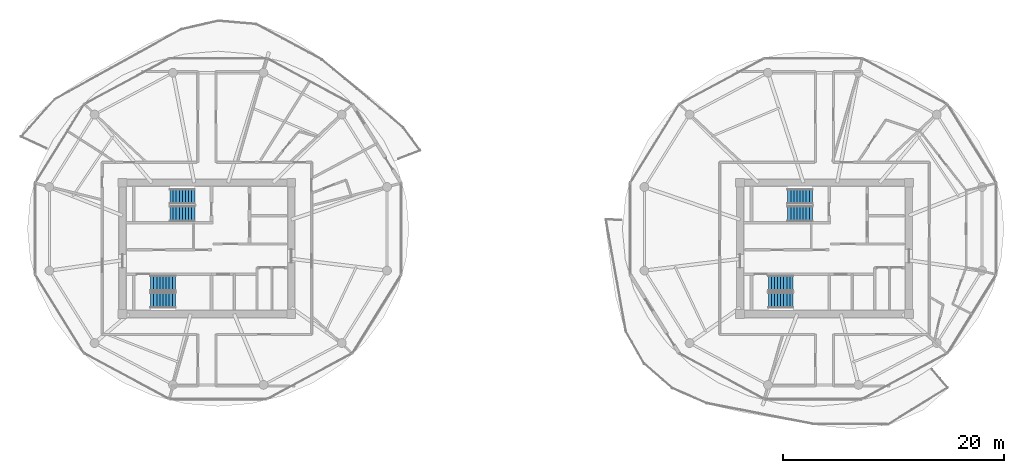
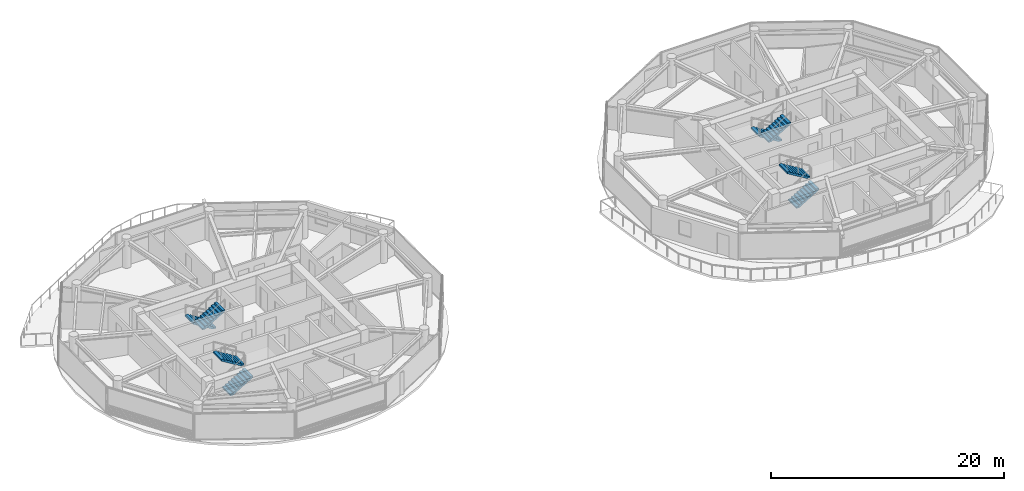
# One storey, part 17 of 21: 8 stair flights, 4 elements without a shape of their own.
"""IFC4 building model written with IfcOpenShell, lengths in metres."""

from ifc_helpers import new_model, si_unit, direction, frame, origin, place, context, subcontext, project, spatial, polyline, outline, extrude, material, type_object, element, aggregate, save


model = new_model("IFC4")

# Units and contexts
model_context = context("Model", 3, precision=1e-05, world=origin(), true_north=direction((0.0, 1.0)))
body_context = subcontext(model_context, "Body", "Model", "MODEL_VIEW")
ifc_project = project(units=[si_unit("LENGTHUNIT", "METRE"), si_unit("AREAUNIT", "SQUARE_METRE"), si_unit("VOLUMEUNIT", "CUBIC_METRE"), si_unit("PLANEANGLEUNIT", "RADIAN"), si_unit("MASSUNIT", "GRAM", prefix="KILO")], contexts=[model_context])

# Site, building, storey
site_placement = place(None, origin())
site = spatial("IfcSite", under=ifc_project, at=site_placement, CompositionType="ELEMENT")
building_placement = place(site_placement, origin())
building = spatial("IfcBuilding", under=site, at=building_placement, Name="Norrkilde Senior Care Towers", CompositionType="ELEMENT")
storey_placement = place(building_placement, frame((0.0, 0.0, 143.449951171875)))
storey = spatial("IfcBuildingStorey", under=building, at=storey_placement, Name="L44", CompositionType="ELEMENT", Elevation=143.449951171875)

# Stair, stair flights
ifc_material = material(Name="Concrete C45/55", Category="concrete")
stair_type = type_object("IfcStairType", Name="Core Protected Dogleg Stair Typical 3050", PredefinedType="HALF_TURN_STAIR", material=ifc_material)
stair_1_placement = place(storey_placement, origin())
stair_1 = element("IfcStair", 1, at=stair_1_placement, inside=storey, type_object=stair_type, Name="L44 Protected Core Stair W1", PredefinedType="HALF_TURN_STAIR")
stair_flight_type = type_object("IfcStairFlightType", Name="Core Protected Dogleg Stair Typical 3050 Flight", PredefinedType="STRAIGHT", material=ifc_material)
stair_flight_1_placement = place(storey_placement, frame((-29.10009765625, 4.699951171875, 0.0), z_axis=(0.0, 0.0, 1.0), x_axis=(-1.0, 0.0, 0.0)))
stair_flight_1 = element("IfcStairFlight", 2, at=stair_flight_1_placement, type_object=stair_flight_type, Name="ST-W1 flight 1", NumberOfRisers=9, NumberOfTreads=8, PredefinedType="STRAIGHT", RiserHeight=0.169444444, TreadLength=0.28, context=body_context, shape_type="SweptSolid", body=[
    extrude(outline(polyline([(0.0, 0.0), (0.0, 0.16943359375), (0.280029296875, 0.16943359375), (0.280029296875, 0.3388671875), (0.56005859375, 0.3388671875), (0.56005859375, 0.50830078125), (0.840087890625, 0.50830078125), (0.840087890625, 0.677734375), (1.1201171875, 0.677734375), (1.1201171875, 0.84716796875), (1.39990234375, 0.84716796875), (1.39990234375, 1.0166015625), (1.679931640625, 1.0166015625), (1.679931640625, 1.18603515625), (1.9599609375, 1.18603515625), (1.9599609375, 1.35546875), (2.239990234375, 1.35546875), (2.239990234375, 1.52490234375), (2.239990234375, 1.180419921875), (0.28955078125, 0.0), (0.0, 0.0)])), frame((0.0, 0.699951171875, 0.0), z_axis=(0.0, -1.0, 0.0), x_axis=(1.0, 0.0, 0.0)), (0.0, 0.0, 1.0), 1.39990234375),
])
stair_flight_2_placement = place(storey_placement, frame((-31.340087890625, 3.14990234375, 1.525146484375), z_axis=(0.0, 0.0, 1.0), x_axis=(1.0, 0.0, 0.0)))
stair_flight_2 = element("IfcStairFlight", 3, at=stair_flight_2_placement, type_object=stair_flight_type, Name="ST-W1 flight 2", NumberOfRisers=9, NumberOfTreads=8, PredefinedType="STRAIGHT", RiserHeight=0.169444444, TreadLength=0.28, context=body_context, shape_type="SweptSolid", body=[
    extrude(outline(polyline([(0.0, 0.0), (0.0, 0.16943359375), (0.280029296875, 0.16943359375), (0.280029296875, 0.3388671875), (0.56005859375, 0.3388671875), (0.56005859375, 0.50830078125), (0.840087890625, 0.50830078125), (0.840087890625, 0.677734375), (1.1201171875, 0.677734375), (1.1201171875, 0.84716796875), (1.39990234375, 0.84716796875), (1.39990234375, 1.0166015625), (1.679931640625, 1.0166015625), (1.679931640625, 1.18603515625), (1.9599609375, 1.18603515625), (1.9599609375, 1.35546875), (2.239990234375, 1.35546875), (2.239990234375, 1.52490234375), (2.239990234375, 1.180419921875), (0.28955078125, 0.0), (0.0, 0.0)])), frame((0.0, 0.699951171875, 0.0), z_axis=(0.0, -1.0, 0.0), x_axis=(1.0, 0.0, 0.0)), (0.0, 0.0, 1.0), 1.39990234375),
])
aggregate(stair_1, [stair_flight_1, stair_flight_2])

stair_2_placement = place(storey_placement, origin())
stair_2 = element("IfcStair", 4, at=stair_2_placement, inside=storey, type_object=stair_type, Name="L44 Protected Core Stair W2", PredefinedType="HALF_TURN_STAIR")
stair_flight_3_placement = place(storey_placement, frame((-33.10009765625, -4.699951171875, 0.0), z_axis=(0.0, 0.0, 1.0), x_axis=(1.0, 0.0, 0.0)))
stair_flight_3 = element("IfcStairFlight", 5, at=stair_flight_3_placement, type_object=stair_flight_type, Name="ST-W2 flight 1", NumberOfRisers=9, NumberOfTreads=8, PredefinedType="STRAIGHT", RiserHeight=0.169444444, TreadLength=0.28, context=body_context, shape_type="SweptSolid", body=[
    extrude(outline(polyline([(0.0, 0.0), (0.0, 0.16943359375), (0.280029296875, 0.16943359375), (0.280029296875, 0.3388671875), (0.56005859375, 0.3388671875), (0.56005859375, 0.50830078125), (0.840087890625, 0.50830078125), (0.840087890625, 0.677734375), (1.1201171875, 0.677734375), (1.1201171875, 0.84716796875), (1.39990234375, 0.84716796875), (1.39990234375, 1.0166015625), (1.679931640625, 1.0166015625), (1.679931640625, 1.18603515625), (1.9599609375, 1.18603515625), (1.9599609375, 1.35546875), (2.239990234375, 1.35546875), (2.239990234375, 1.52490234375), (2.239990234375, 1.180419921875), (0.28955078125, 0.0), (0.0, 0.0)])), frame((0.0, 0.699951171875, 0.0), z_axis=(0.0, -1.0, 0.0), x_axis=(1.0, 0.0, 0.0)), (0.0, 0.0, 1.0), 1.39990234375),
])
stair_flight_4_placement = place(storey_placement, frame((-30.860107421875, -3.14990234375, 1.525146484375), z_axis=(0.0, 0.0, 1.0), x_axis=(-1.0, 0.0, 0.0)))
stair_flight_4 = element("IfcStairFlight", 6, at=stair_flight_4_placement, type_object=stair_flight_type, Name="ST-W2 flight 2", NumberOfRisers=9, NumberOfTreads=8, PredefinedType="STRAIGHT", RiserHeight=0.169444444, TreadLength=0.28, context=body_context, shape_type="SweptSolid", body=[
    extrude(outline(polyline([(0.0, 0.0), (0.0, 0.16943359375), (0.280029296875, 0.16943359375), (0.280029296875, 0.3388671875), (0.56005859375, 0.3388671875), (0.56005859375, 0.50830078125), (0.840087890625, 0.50830078125), (0.840087890625, 0.677734375), (1.1201171875, 0.677734375), (1.1201171875, 0.84716796875), (1.39990234375, 0.84716796875), (1.39990234375, 1.0166015625), (1.679931640625, 1.0166015625), (1.679931640625, 1.18603515625), (1.9599609375, 1.18603515625), (1.9599609375, 1.35546875), (2.239990234375, 1.35546875), (2.239990234375, 1.52490234375), (2.239990234375, 1.180419921875), (0.28955078125, 0.0), (0.0, 0.0)])), frame((0.0, 0.699951171875, 0.0), z_axis=(0.0, -1.0, 0.0), x_axis=(1.0, 0.0, 0.0)), (0.0, 0.0, 1.0), 1.39990234375),
])
aggregate(stair_2, [stair_flight_3, stair_flight_4])

stair_3_placement = place(storey_placement, origin())
stair_3 = element("IfcStair", 7, at=stair_3_placement, inside=storey, type_object=stair_type, Name="L44 Protected Core Stair E1", PredefinedType="HALF_TURN_STAIR")
stair_flight_5_placement = place(storey_placement, frame((26.89990234375, 4.699951171875, 0.0), z_axis=(0.0, 0.0, 1.0), x_axis=(-1.0, 0.0, 0.0)))
stair_flight_5 = element("IfcStairFlight", 8, at=stair_flight_5_placement, type_object=stair_flight_type, Name="ST-E1 flight 1", NumberOfRisers=9, NumberOfTreads=8, PredefinedType="STRAIGHT", RiserHeight=0.169444444, TreadLength=0.28, context=body_context, shape_type="SweptSolid", body=[
    extrude(outline(polyline([(0.0, 0.0), (0.0, 0.16943359375), (0.280029296875, 0.16943359375), (0.280029296875, 0.3388671875), (0.56005859375, 0.3388671875), (0.56005859375, 0.50830078125), (0.840087890625, 0.50830078125), (0.840087890625, 0.677734375), (1.1201171875, 0.677734375), (1.1201171875, 0.84716796875), (1.39990234375, 0.84716796875), (1.39990234375, 1.0166015625), (1.679931640625, 1.0166015625), (1.679931640625, 1.18603515625), (1.9599609375, 1.18603515625), (1.9599609375, 1.35546875), (2.239990234375, 1.35546875), (2.239990234375, 1.52490234375), (2.239990234375, 1.180419921875), (0.28955078125, 0.0), (0.0, 0.0)])), frame((0.0, 0.699951171875, 0.0), z_axis=(0.0, -1.0, 0.0), x_axis=(1.0, 0.0, 0.0)), (0.0, 0.0, 1.0), 1.39990234375),
])
stair_flight_6_placement = place(storey_placement, frame((24.659912109375, 3.14990234375, 1.525146484375), z_axis=(0.0, 0.0, 1.0), x_axis=(1.0, 0.0, 0.0)))
stair_flight_6 = element("IfcStairFlight", 9, at=stair_flight_6_placement, type_object=stair_flight_type, Name="ST-E1 flight 2", NumberOfRisers=9, NumberOfTreads=8, PredefinedType="STRAIGHT", RiserHeight=0.169444444, TreadLength=0.28, context=body_context, shape_type="SweptSolid", body=[
    extrude(outline(polyline([(0.0, 0.0), (0.0, 0.16943359375), (0.280029296875, 0.16943359375), (0.280029296875, 0.3388671875), (0.56005859375, 0.3388671875), (0.56005859375, 0.50830078125), (0.840087890625, 0.50830078125), (0.840087890625, 0.677734375), (1.1201171875, 0.677734375), (1.1201171875, 0.84716796875), (1.39990234375, 0.84716796875), (1.39990234375, 1.0166015625), (1.679931640625, 1.0166015625), (1.679931640625, 1.18603515625), (1.9599609375, 1.18603515625), (1.9599609375, 1.35546875), (2.239990234375, 1.35546875), (2.239990234375, 1.52490234375), (2.239990234375, 1.180419921875), (0.28955078125, 0.0), (0.0, 0.0)])), frame((0.0, 0.699951171875, 0.0), z_axis=(0.0, -1.0, 0.0), x_axis=(1.0, 0.0, 0.0)), (0.0, 0.0, 1.0), 1.39990234375),
])
aggregate(stair_3, [stair_flight_5, stair_flight_6])

stair_4_placement = place(storey_placement, origin())
stair_4 = element("IfcStair", 10, at=stair_4_placement, inside=storey, type_object=stair_type, Name="L44 Protected Core Stair E2", PredefinedType="HALF_TURN_STAIR")
stair_flight_7_placement = place(storey_placement, frame((22.89990234375, -4.699951171875, 0.0), z_axis=(0.0, 0.0, 1.0), x_axis=(1.0, 0.0, 0.0)))
stair_flight_7 = element("IfcStairFlight", 11, at=stair_flight_7_placement, type_object=stair_flight_type, Name="ST-E2 flight 1", NumberOfRisers=9, NumberOfTreads=8, PredefinedType="STRAIGHT", RiserHeight=0.169444444, TreadLength=0.28, context=body_context, shape_type="SweptSolid", body=[
    extrude(outline(polyline([(0.0, 0.0), (0.0, 0.16943359375), (0.280029296875, 0.16943359375), (0.280029296875, 0.3388671875), (0.56005859375, 0.3388671875), (0.56005859375, 0.50830078125), (0.840087890625, 0.50830078125), (0.840087890625, 0.677734375), (1.1201171875, 0.677734375), (1.1201171875, 0.84716796875), (1.39990234375, 0.84716796875), (1.39990234375, 1.0166015625), (1.679931640625, 1.0166015625), (1.679931640625, 1.18603515625), (1.9599609375, 1.18603515625), (1.9599609375, 1.35546875), (2.239990234375, 1.35546875), (2.239990234375, 1.52490234375), (2.239990234375, 1.180419921875), (0.28955078125, 0.0), (0.0, 0.0)])), frame((0.0, 0.699951171875, 0.0), z_axis=(0.0, -1.0, 0.0), x_axis=(1.0, 0.0, 0.0)), (0.0, 0.0, 1.0), 1.39990234375),
])
stair_flight_8_placement = place(storey_placement, frame((25.139892578125, -3.14990234375, 1.525146484375), z_axis=(0.0, 0.0, 1.0), x_axis=(-1.0, 0.0, 0.0)))
stair_flight_8 = element("IfcStairFlight", 12, at=stair_flight_8_placement, type_object=stair_flight_type, Name="ST-E2 flight 2", NumberOfRisers=9, NumberOfTreads=8, PredefinedType="STRAIGHT", RiserHeight=0.169444444, TreadLength=0.28, context=body_context, shape_type="SweptSolid", body=[
    extrude(outline(polyline([(0.0, 0.0), (0.0, 0.16943359375), (0.280029296875, 0.16943359375), (0.280029296875, 0.3388671875), (0.56005859375, 0.3388671875), (0.56005859375, 0.50830078125), (0.840087890625, 0.50830078125), (0.840087890625, 0.677734375), (1.1201171875, 0.677734375), (1.1201171875, 0.84716796875), (1.39990234375, 0.84716796875), (1.39990234375, 1.0166015625), (1.679931640625, 1.0166015625), (1.679931640625, 1.18603515625), (1.9599609375, 1.18603515625), (1.9599609375, 1.35546875), (2.239990234375, 1.35546875), (2.239990234375, 1.52490234375), (2.239990234375, 1.180419921875), (0.28955078125, 0.0), (0.0, 0.0)])), frame((0.0, 0.699951171875, 0.0), z_axis=(0.0, -1.0, 0.0), x_axis=(1.0, 0.0, 0.0)), (0.0, 0.0, 1.0), 1.39990234375),
])
aggregate(stair_4, [stair_flight_7, stair_flight_8])

save(model, "model.ifc")
